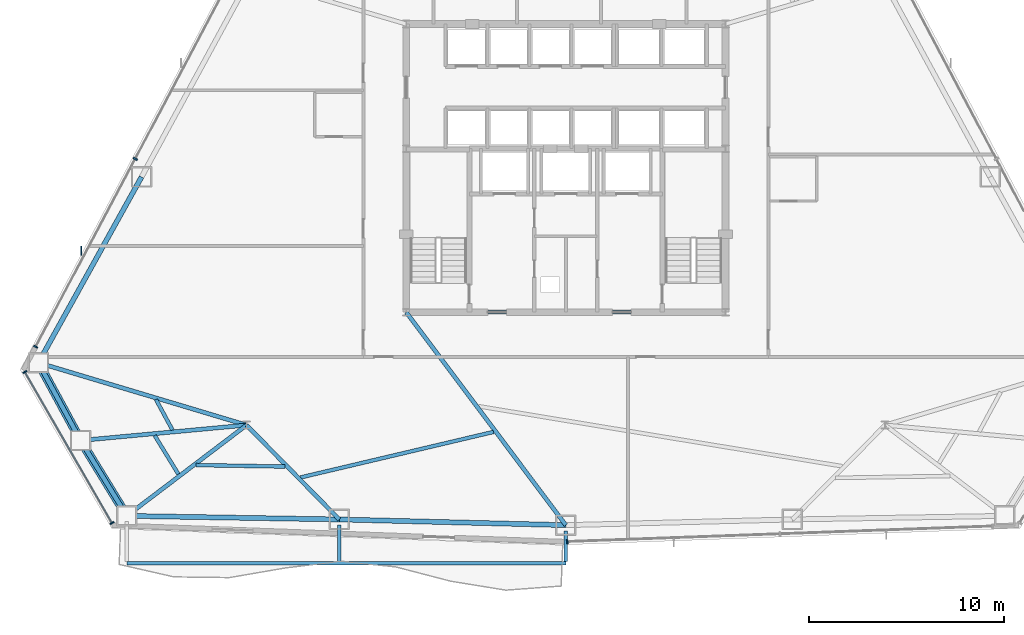
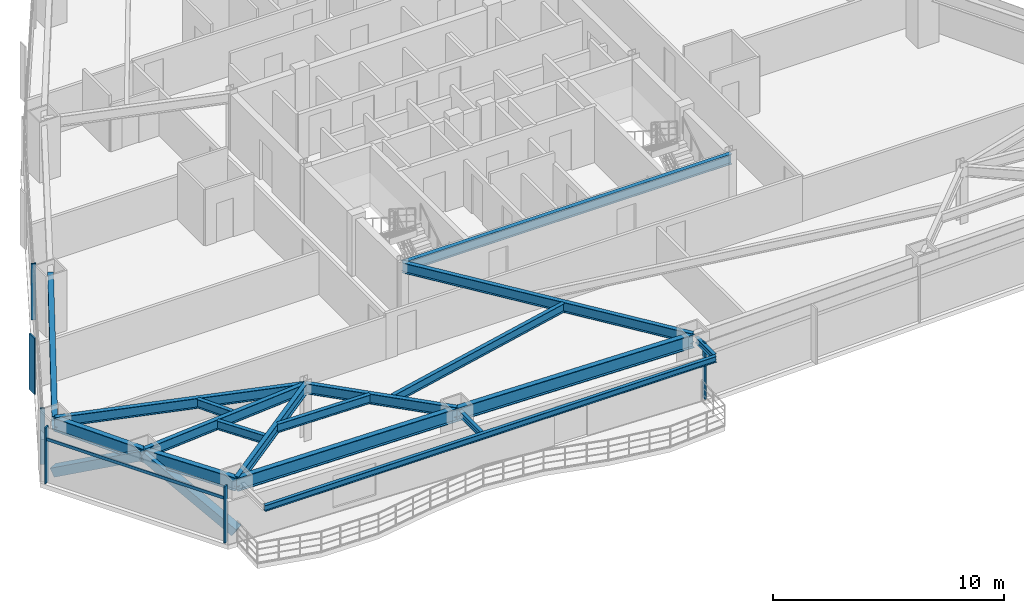
# One storey, part 4 of 13: 18 beams, 9 members, 3 elements without a shape of their own.
"""IFC4 building model written with IfcOpenShell, lengths in metres."""

from ifc_helpers import new_model, si_unit, direction, frame, origin, origin_2d, place, context, subcontext, project, spatial, rectangle, hollow_rectangle, i_section, extrude, source, transform, mapped, material, layer, layer_set, material_profile, profile_set, type_object, type_shapes, element, aggregate, save


model = new_model("IFC4")

# Units and contexts
model_context = context("Model", 3, precision=1e-05, world=origin(), true_north=direction((0.0, 1.0)))
body_context = subcontext(model_context, "Body", "Model", "MODEL_VIEW")
ifc_project = project(units=[si_unit("LENGTHUNIT", "METRE"), si_unit("AREAUNIT", "SQUARE_METRE"), si_unit("VOLUMEUNIT", "CUBIC_METRE"), si_unit("PLANEANGLEUNIT", "RADIAN"), si_unit("MASSUNIT", "GRAM", prefix="KILO")], contexts=[model_context])

# Site, building, storey
site_placement = place(None, origin())
site = spatial("IfcSite", under=ifc_project, at=site_placement, CompositionType="ELEMENT")
building_placement = place(site_placement, origin())
building = spatial("IfcBuilding", under=site, at=building_placement, Name="Varakhsha Concourse Tower", CompositionType="ELEMENT")
storey_placement = place(building_placement, frame((0.0, 0.0, 92.60009765625)))
storey = spatial("IfcBuildingStorey", under=building, at=storey_placement, Name="L26", CompositionType="ELEMENT", Elevation=92.60009765625)

# Beams
ifc_material_1 = material(Name="Structural Steel ASTM A992 Grade 50", Category="steel")
ifc_material_profile_1 = material_profile(ifc_material_1, i_section(OverallWidth=0.1669921875, OverallDepth=0.31689453125, WebThickness=0.008056640625, FlangeThickness=0.012939453125, at=origin_2d()), Name="W12X35")
ifc_profile_set_1 = profile_set([ifc_material_profile_1], Name="Structural Steel ASTM A992 Grade 50")
beam_type_1 = type_object("IfcBeamType", Name="BM-EDGE-W12X35", PredefinedType="BEAM", material=ifc_profile_set_1)
beam_1_placement = place(storey_placement, frame((17.45068359375, 3.49951171875, 2.801513671875), z_axis=(1.0, 0.0, 0.0), x_axis=(0.0, 1.0, 0.0)))
element("IfcBeam", 1, at=beam_1_placement, inside=storey, type_object=beam_type_1, Name="L27 Sky-Loggia Outer Header Girder", PredefinedType="BEAM", context=body_context, shape_type="SweptSolid", body=[
    extrude(i_section(OverallWidth=0.1669921875, OverallDepth=0.31689453125, WebThickness=0.008056640625, FlangeThickness=0.012939453125, at=origin_2d()), origin(), (0.0, 0.0, 1.0), 22.54931640625),
])
beam_2_placement = place(storey_placement, frame((28.3642578125, 5.459228515625, 2.801513671875), z_axis=(0.0, -1.0, 0.0), x_axis=(1.0, 0.0, 0.0)))
element("IfcBeam", 2, at=beam_2_placement, inside=storey, type_object=beam_type_1, Name="L27 Sky-Loggia Support Bracket 2", PredefinedType="BEAM", context=body_context, shape_type="SweptSolid", body=[
    extrude(i_section(OverallWidth=0.1669921875, OverallDepth=0.31689453125, WebThickness=0.008056640625, FlangeThickness=0.012939453125, at=origin_2d()), origin(), (0.0, 0.0, 1.0), 1.875732421875),
])
beam_3_placement = place(storey_placement, frame((40.0, 5.16650390625, 2.801513671875), z_axis=(0.0, -1.0, 0.0), x_axis=(1.0, 0.0, 0.0)))
element("IfcBeam", 3, at=beam_3_placement, inside=storey, type_object=beam_type_1, Name="L27 Sky-Loggia Support Bracket 3", PredefinedType="BEAM", context=body_context, shape_type="SweptSolid", body=[
    extrude(i_section(OverallWidth=0.1669921875, OverallDepth=0.31689453125, WebThickness=0.008056640625, FlangeThickness=0.012939453125, at=origin_2d()), origin(), (0.0, 0.0, 1.0), 1.5830078125),
])
ifc_material_profile_2 = material_profile(ifc_material_1, i_section(OverallWidth=0.19091796875, OverallDepth=0.45703125, WebThickness=0.009033203125, FlangeThickness=0.013916015625, at=origin_2d()), Name="W18X50")
ifc_profile_set_2 = profile_set([ifc_material_profile_2], Name="Structural Steel ASTM A992 Grade 50")
beam_type_2 = type_object("IfcBeamType", Name="BM-JST-W18X50", PredefinedType="JOIST", material=ifc_profile_set_2)
beam_4_placement = place(storey_placement, frame((18.948486328125, 11.91259765625, 2.741455078125), z_axis=(0.477043404459, -0.878879735949, 0.0), x_axis=(0.878879735949, 0.477043404459, 0.0)))
element("IfcBeam", 4, at=beam_4_placement, inside=storey, type_object=beam_type_2, Name="BM-TJST-L26-07", PredefinedType="JOIST", context=body_context, shape_type="SweptSolid", body=[
    extrude(i_section(OverallWidth=0.19091796875, OverallDepth=0.45703125, WebThickness=0.009033203125, FlangeThickness=0.013916015625, at=origin_2d()), origin(), (0.0, 0.0, 1.0), 1.779052734375),
])
beam_5_placement = place(storey_placement, frame((18.88427734375, 10.06396484375, 2.741455078125), z_axis=(0.522613786352, -0.852569545735, 0.0), x_axis=(0.852569545735, 0.522613786352, 0.0)))
element("IfcBeam", 5, at=beam_5_placement, inside=storey, type_object=beam_type_2, Name="BM-TJST-L26-08", PredefinedType="JOIST", context=body_context, shape_type="SweptSolid", body=[
    extrude(i_section(OverallWidth=0.19091796875, OverallDepth=0.45703125, WebThickness=0.009033203125, FlangeThickness=0.013916015625, at=origin_2d()), origin(), (0.0, 0.0, 1.0), 2.323974609375),
])
beam_6_placement = place(storey_placement, frame((21.004150390625, 8.54638671875, 2.741455078125), z_axis=(0.999860072798, -0.016728264219, 0.0), x_axis=(0.016728264219, 0.999860072798, 0.0)))
element("IfcBeam", 6, at=beam_6_placement, inside=storey, type_object=beam_type_2, Name="BM-TJST-L26-09", PredefinedType="JOIST", context=body_context, shape_type="SweptSolid", body=[
    extrude(i_section(OverallWidth=0.19091796875, OverallDepth=0.45703125, WebThickness=0.009033203125, FlangeThickness=0.013916015625, at=origin_2d()), origin(), (0.0, 0.0, 1.0), 4.582763671875),
])
beam_7_placement = place(storey_placement, frame((26.375, 7.91162109375, 2.741455078125), z_axis=(0.973287768432, 0.229588588178, 0.0), x_axis=(-0.229588588178, 0.973287768432, 0.0)))
element("IfcBeam", 7, at=beam_7_placement, inside=storey, type_object=beam_type_2, Name="BM-TJST-L26-10", PredefinedType="JOIST", context=body_context, shape_type="SweptSolid", body=[
    extrude(i_section(OverallWidth=0.19091796875, OverallDepth=0.45703125, WebThickness=0.009033203125, FlangeThickness=0.013916015625, at=origin_2d()), origin(), (0.0, 0.0, 1.0), 10.181884765625),
])
ifc_material_profile_3 = material_profile(ifc_material_1, i_section(OverallWidth=0.2109375, OverallDepth=0.5390625, WebThickness=0.011962890625, FlangeThickness=0.01904296875, at=origin_2d()), Name="W21X73")
ifc_profile_set_3 = profile_set([ifc_material_profile_3], Name="Structural Steel ASTM A992 Grade 50")
beam_type_3 = type_object("IfcBeamType", Name="BM-RAD-W21X73", PredefinedType="BEAM", material=ifc_profile_set_3)
beam_8_placement = place(storey_placement, frame((31.800048828125, 16.39990234375, 2.700439453125), z_axis=(1.0, 0.0, 0.0), x_axis=(0.0, 1.0, 0.0)))
element("IfcBeam", 8, at=beam_8_placement, inside=storey, type_object=beam_type_3, Name="BM-TCORE-L26-CS", PredefinedType="BEAM", context=body_context, shape_type="SweptSolid", body=[
    extrude(i_section(OverallWidth=0.2109375, OverallDepth=0.5390625, WebThickness=0.011962890625, FlangeThickness=0.01904296875, at=origin_2d()), origin(), (0.0, 0.0, 1.0), 16.39990234375),
])
beam_9_placement = place(storey_placement, frame((23.60009765625, 10.60009765625, 2.700439453125), z_axis=(-0.957930379652, 0.287000675505, 0.0), x_axis=(-0.287000675505, -0.957930379652, 0.0)))
element("IfcBeam", 9, at=beam_9_placement, inside=storey, type_object=beam_type_3, Name="L26 Radial Floor Girder 07", PredefinedType="BEAM", context=body_context, shape_type="SweptSolid", body=[
    extrude(i_section(OverallWidth=0.2109375, OverallDepth=0.5390625, WebThickness=0.011962890625, FlangeThickness=0.01904296875, at=origin_2d()), origin(), (0.0, 0.0, 1.0), 11.16064453125),
])
beam_10_placement = place(storey_placement, frame((23.60009765625, 10.60009765625, 2.700439453125), z_axis=(-0.995734610944, -0.092263668731, 0.0), x_axis=(0.092263668731, -0.995734610944, 0.0)))
element("IfcBeam", 10, at=beam_10_placement, inside=storey, type_object=beam_type_3, Name="L26 Radial Floor Girder 08", PredefinedType="BEAM", context=body_context, shape_type="SweptSolid", body=[
    extrude(i_section(OverallWidth=0.2109375, OverallDepth=0.5390625, WebThickness=0.011962890625, FlangeThickness=0.01904296875, at=origin_2d()), origin(), (0.0, 0.0, 1.0), 8.560302734375),
])
beam_11_placement = place(storey_placement, frame((23.60009765625, 10.60009765625, 2.700439453125), z_axis=(-0.79681521448, -0.604223066403, 0.0), x_axis=(0.604223066403, -0.79681521448, 0.0)))
element("IfcBeam", 11, at=beam_11_placement, inside=storey, type_object=beam_type_3, Name="L26 Radial Floor Girder 09", PredefinedType="BEAM", context=body_context, shape_type="SweptSolid", body=[
    extrude(i_section(OverallWidth=0.2109375, OverallDepth=0.5390625, WebThickness=0.011962890625, FlangeThickness=0.01904296875, at=origin_2d()), origin(), (0.0, 0.0, 1.0), 7.717529296875),
])
beam_12_placement = place(storey_placement, frame((23.60009765625, 10.60009765625, 2.700439453125), z_axis=(0.701063539326, -0.713098810704, 0.0), x_axis=(0.713098810704, 0.701063539326, 0.0)))
element("IfcBeam", 12, at=beam_12_placement, inside=storey, type_object=beam_type_3, Name="L26 Radial Floor Girder 10", PredefinedType="BEAM", context=body_context, shape_type="SweptSolid", body=[
    extrude(i_section(OverallWidth=0.2109375, OverallDepth=0.5390625, WebThickness=0.011962890625, FlangeThickness=0.01904296875, at=origin_2d()), origin(), (0.0, 0.0, 1.0), 6.795654296875),
])
beam_13_placement = place(storey_placement, frame((31.800048828125, 16.39990234375, 2.700439453125), z_axis=(0.599817112164, -0.800137133218, 0.0), x_axis=(0.800137133218, 0.599817112164, 0.0)))
element("IfcBeam", 13, at=beam_13_placement, inside=storey, type_object=beam_type_3, Name="L26 Radial Floor Girder 11", PredefinedType="BEAM", context=body_context, shape_type="SweptSolid", body=[
    extrude(i_section(OverallWidth=0.2109375, OverallDepth=0.5390625, WebThickness=0.011962890625, FlangeThickness=0.01904296875, at=origin_2d()), origin(), (0.0, 0.0, 1.0), 13.670654296875),
])
ifc_material_profile_4 = material_profile(ifc_material_1, i_section(OverallWidth=0.25390625, OverallDepth=0.701904296875, WebThickness=0.014892578125, FlangeThickness=0.028076171875, at=origin_2d()), Name="W27X129")
ifc_profile_set_4 = profile_set([ifc_material_profile_4], Name="Structural Steel ASTM A992 Grade 50")
beam_type_4 = type_object("IfcBeamType", Name="BM-SPAN-W27X129", PredefinedType="SPANDREL", material=ifc_profile_set_4)
beam_14_placement = place(storey_placement, frame((18.20751953125, 23.345947265625, 2.618896484375), z_axis=(-0.485437813763, -0.874271198753, 0.0), x_axis=(0.874271198753, -0.485437813763, 0.0)))
element("IfcBeam", 14, at=beam_14_placement, inside=storey, type_object=beam_type_4, Name="BM-SPAN-L26-06", PredefinedType="SPANDREL", context=body_context, shape_type="SweptSolid", body=[
    extrude(i_section(OverallWidth=0.25390625, OverallDepth=0.701904296875, WebThickness=0.014892578125, FlangeThickness=0.028076171875, at=origin_2d()), origin(), (0.0, 0.0, 1.0), 10.9150390625),
])
beam_15_placement = place(storey_placement, frame((12.908935546875, 13.80322265625, 2.618896484375), z_axis=(0.47707407482, -0.878863087821, 0.0), x_axis=(0.878863087821, 0.47707407482, 0.0)))
element("IfcBeam", 15, at=beam_15_placement, inside=storey, type_object=beam_type_4, Name="BM-SPAN-L26-07", PredefinedType="SPANDREL", context=body_context, shape_type="SweptSolid", body=[
    extrude(i_section(OverallWidth=0.25390625, OverallDepth=0.701904296875, WebThickness=0.014892578125, FlangeThickness=0.028076171875, at=origin_2d()), origin(), (0.0, 0.0, 1.0), 4.543212890625),
])
beam_16_placement = place(storey_placement, frame((15.076416015625, 9.810302734375, 2.618896484375), z_axis=(0.522612462801, -0.852570357053, 0.0), x_axis=(0.852570357053, 0.522612462801, 0.0)))
element("IfcBeam", 16, at=beam_16_placement, inside=storey, type_object=beam_type_4, Name="BM-SPAN-L26-08", PredefinedType="SPANDREL", context=body_context, shape_type="SweptSolid", body=[
    extrude(i_section(OverallWidth=0.25390625, OverallDepth=0.701904296875, WebThickness=0.014892578125, FlangeThickness=0.028076171875, at=origin_2d()), origin(), (0.0, 0.0, 1.0), 4.54296875),
])
beam_17_placement = place(storey_placement, frame((17.45068359375, 5.93701171875, 2.598876953125), z_axis=(0.999859657794, -0.016753050953, 0.0), x_axis=(0.016753050953, 0.999859657794, 0.0)))
element("IfcBeam", 17, at=beam_17_placement, inside=storey, type_object=beam_type_4, Name="BM-SPAN-L26-09", PredefinedType="SPANDREL", context=body_context, shape_type="SweptSolid", body=[
    extrude(i_section(OverallWidth=0.25390625, OverallDepth=0.701904296875, WebThickness=0.014892578125, FlangeThickness=0.028076171875, at=origin_2d()), origin(), (0.0, 0.0, 1.0), 10.9150390625),
])
beam_18_placement = place(storey_placement, frame((28.3642578125, 5.754150390625, 2.598876953125), z_axis=(0.99968370363, -0.025149407483, 0.0), x_axis=(0.025149407483, 0.99968370363, 0.0)))
element("IfcBeam", 18, at=beam_18_placement, inside=storey, type_object=beam_type_4, Name="BM-SPAN-L26-10", PredefinedType="SPANDREL", context=body_context, shape_type="SweptSolid", body=[
    extrude(i_section(OverallWidth=0.25390625, OverallDepth=0.701904296875, WebThickness=0.014892578125, FlangeThickness=0.028076171875, at=origin_2d()), origin(), (0.0, 0.0, 1.0), 11.639404296875),
])

# Members
ifc_material_2 = material(Name="Structural Steel ASTM A500 Grade C", Category="steel")
ifc_material_profile_5 = material_profile(ifc_material_2, hollow_rectangle(XDim=0.449951171875, YDim=0.449951171875, WallThickness=0.01904296875, at=origin_2d()), Name="HSS 450x450x19")
ifc_profile_set_5 = profile_set([ifc_material_profile_5], Name="Structural Steel ASTM A500 Grade C")
member_type_1 = type_object("IfcMemberType", Name="MB-TUBE-HSS450", PredefinedType="BRACE", material=ifc_profile_set_5)
shared_shape_1 = source(origin(), body_context, "Body", "SweptSolid", [
    extrude(hollow_rectangle(XDim=0.449951171875, YDim=0.449951171875, WallThickness=0.01904296875, at=origin_2d()), origin(), (0.0, 0.0, 1.0), 5.209716796875),
])
member_1_placement = place(storey_placement, frame((17.45068359375, 5.93701171875, 0.119873046875), z_axis=(-0.455728834784, 0.743458916591, 0.48946917011), x_axis=(-0.852570357053, -0.522612462801, 0.0)))
element("IfcMember", 19, at=member_1_placement, inside=storey, type_object=member_type_1, Name="L26 Wind-Corner Tube Brace B04", PredefinedType="BRACE", context=body_context, shape_type="MappedRepresentation", body=[
    mapped(shared_shape_1, transform((0.0, 0.0, 0.0), scale=1.0)),
])
shared_shape_2 = source(origin(), body_context, "Body", "SweptSolid", [
    extrude(hollow_rectangle(XDim=0.449951171875, YDim=0.449951171875, WallThickness=0.01904296875, at=origin_2d()), origin(), (0.0, 0.0, 1.0), 5.2099609375),
])
type_shapes(member_type_1, [shared_shape_1, shared_shape_2])
member_2_placement = place(storey_placement, frame((12.908935546875, 13.80322265625, 0.119873046875), z_axis=(0.416022891855, -0.766394953401, 0.489452478647), x_axis=(0.878863087821, 0.47707407482, 0.0)))
element("IfcMember", 20, at=member_2_placement, inside=storey, type_object=member_type_1, Name="L26 Wind-Corner Tube Brace B03", PredefinedType="BRACE", context=body_context, shape_type="MappedRepresentation", body=[
    mapped(shared_shape_2, transform((0.0, 0.0, 0.0), scale=1.0)),
])

# Curtain wall, members
ifc_material_3 = material(Name="Anodised Bronze Architectural Aluminium AA 6063-T6", Category="aluminium")
ifc_layer = layer(ifc_material_3, 0.199951171875, Name="CW-SYS-03")
ifc_layer_set = layer_set([ifc_layer], Name="Anodised Bronze Architectural Aluminium AA 6063-T6")
curtain_wall_type = type_object("IfcCurtainWallType", Name="CW-SYS-03", PredefinedType="NOTDEFINED", material=ifc_layer_set)
curtain_wall_1_placement = place(storey_placement, origin())
curtain_wall_1 = element("IfcCurtainWall", 21, at=curtain_wall_1_placement, inside=storey, type_object=curtain_wall_type, Name="L26 Crystal Curtain Wall F3", PredefinedType="NOTDEFINED")
ifc_material_profile_6 = material_profile(ifc_material_3, rectangle(XDim=0.074951171875, YDim=0.219970703125, at=origin_2d()), Name="CWM-220X75")
ifc_profile_set_6 = profile_set([ifc_material_profile_6], Name="Anodised Bronze Architectural Aluminium AA 6063-T6")
member_type_2 = type_object("IfcMemberType", Name="CWM-220X75", PredefinedType="MULLION", material=ifc_profile_set_6)
shared_shape_3 = source(origin(), body_context, "Body", "SweptSolid", [
    extrude(rectangle(XDim=0.074951171875, YDim=0.219970703125, at=origin_2d()), origin(), (0.0, 0.0, 1.0), 2.969970703125),
])
type_shapes(member_type_2, [shared_shape_3])
member_3_placement = place(storey_placement, frame((12.7705078125, 14.62060546875, 0.0), z_axis=(0.0, 0.0, 1.0), x_axis=(0.468124153157, 0.883662705579, 0.0)))
member_3 = element("IfcMember", 22, at=member_3_placement, type_object=member_type_2, Name="CW-L26-F3 Mullion 00", PredefinedType="MULLION", context=body_context, shape_type="MappedRepresentation", body=[
    mapped(shared_shape_3, transform((0.0, 0.0, 0.0), scale=1.0)),
])
member_4_placement = place(storey_placement, frame((17.885009765625, 24.27490234375, 0.0), z_axis=(0.0, 0.0, 1.0), x_axis=(0.468124153157, 0.883662705579, 0.0)))
member_4 = element("IfcMember", 23, at=member_4_placement, type_object=member_type_2, Name="CW-L26-F3 Mullion 01", PredefinedType="MULLION", context=body_context, shape_type="MappedRepresentation", body=[
    mapped(shared_shape_3, transform((0.0, 0.0, 0.0), scale=1.0)),
])

curtain_wall_2_placement = place(storey_placement, origin())
curtain_wall_2 = element("IfcCurtainWall", 24, at=curtain_wall_2_placement, inside=storey, type_object=curtain_wall_type, Name="L26 Chamfer Curtain Wall F4", PredefinedType="NOTDEFINED")
member_5_placement = place(storey_placement, frame((16.69287109375, 5.570556640625, 0.0), z_axis=(0.0, 0.0, 1.0), x_axis=(-0.5, 0.866025403784, 0.0)))
member_5 = element("IfcMember", 25, at=member_5_placement, type_object=member_type_2, Name="CW-L26-F4 Mullion 00", PredefinedType="MULLION", context=body_context, shape_type="MappedRepresentation", body=[
    mapped(shared_shape_3, transform((0.0, 0.0, 0.0), scale=1.0)),
])
member_6_placement = place(storey_placement, frame((12.212890625, 13.330078125, 0.0), z_axis=(0.0, 0.0, 1.0), x_axis=(-0.5, 0.866025403784, 0.0)))
member_6 = element("IfcMember", 26, at=member_6_placement, type_object=member_type_2, Name="CW-L26-F4 Mullion 01", PredefinedType="MULLION", context=body_context, shape_type="MappedRepresentation", body=[
    mapped(shared_shape_3, transform((0.0, 0.0, 0.0), scale=1.0)),
])

# Curtain wall, member
curtain_wall_3_placement = place(storey_placement, origin())
curtain_wall_3 = element("IfcCurtainWall", 27, at=curtain_wall_3_placement, inside=storey, type_object=curtain_wall_type, Name="L26 Crystal Curtain Wall F6", PredefinedType="NOTDEFINED")
member_7_placement = place(storey_placement, frame((40.07421875, 4.6123046875, 0.0), z_axis=(0.0, 0.0, 1.0), x_axis=(-0.999336427987, -0.03642394403, 0.0)))
member_7 = element("IfcMember", 28, at=member_7_placement, type_object=member_type_2, Name="CW-L26-F6 Mullion 02", PredefinedType="MULLION", context=body_context, shape_type="MappedRepresentation", body=[
    mapped(shared_shape_3, transform((0.0, 0.0, 0.0), scale=1.0)),
])
aggregate(curtain_wall_3, [member_7])

# Member
ifc_material_profile_7 = material_profile(ifc_material_3, rectangle(XDim=0.06494140625, YDim=0.449951171875, at=origin_2d()), Name="FIN-BRZ-450")
ifc_profile_set_7 = profile_set([ifc_material_profile_7], Name="Anodised Bronze Architectural Aluminium AA 6063-T6")
member_type_3 = type_object("IfcMemberType", Name="FIN-BRZ-450", PredefinedType="USERDEFINED", material=ifc_profile_set_7)
shared_shape_4 = source(origin(), body_context, "Body", "SweptSolid", [
    extrude(rectangle(XDim=0.06494140625, YDim=0.449951171875, at=origin_2d()), origin(), (0.0, 0.0, 1.0), 2.969970703125),
])
type_shapes(member_type_3, [shared_shape_4])
member_8_placement = place(storey_placement, frame((15.115478515625, 19.56005859375, 0.0), z_axis=(0.0, 0.0, 1.0), x_axis=(1.0, 0.0, 0.0)))
member_8 = element("IfcMember", 29, at=member_8_placement, type_object=member_type_3, Name="L26 Anodised Bronze Solar Fin F3-1", ObjectType="SOLAR FIN", PredefinedType="USERDEFINED", context=body_context, shape_type="MappedRepresentation", body=[
    mapped(shared_shape_4, transform((0.0, 0.0, 0.0), scale=1.0)),
])

aggregate(curtain_wall_1, [member_3, member_4, member_8])

ifc_material_profile_8 = material_profile(ifc_material_3, rectangle(XDim=0.06494140625, YDim=0.159912109375, at=origin_2d()), Name="CWT-160X65")
ifc_profile_set_8 = profile_set([ifc_material_profile_8], Name="Anodised Bronze Architectural Aluminium AA 6063-T6")
member_type_4 = type_object("IfcMemberType", Name="CWT-160X65", PredefinedType="USERDEFINED", material=ifc_profile_set_8)
shared_shape_5 = source(origin(), body_context, "Body", "SweptSolid", [
    extrude(rectangle(XDim=0.06494140625, YDim=0.159912109375, at=origin_2d()), origin(), (0.0, 0.0, 1.0), 8.9599609375),
])
type_shapes(member_type_4, [shared_shape_5])
member_9_placement = place(storey_placement, frame((16.69287109375, 5.570556640625, 2.31982421875), z_axis=(-0.500001561196, 0.866024502425, 0.0), x_axis=(-0.866024502425, -0.500001561196, 0.0)))
member_9 = element("IfcMember", 30, at=member_9_placement, type_object=member_type_4, Name="CW-L26-F4 Transom 01", ObjectType="TRANSOM", PredefinedType="USERDEFINED", context=body_context, shape_type="MappedRepresentation", body=[
    mapped(shared_shape_5, transform((0.0, 0.0, 0.0), scale=1.0)),
])

aggregate(curtain_wall_2, [member_5, member_6, member_9])

save(model, "model.ifc")
